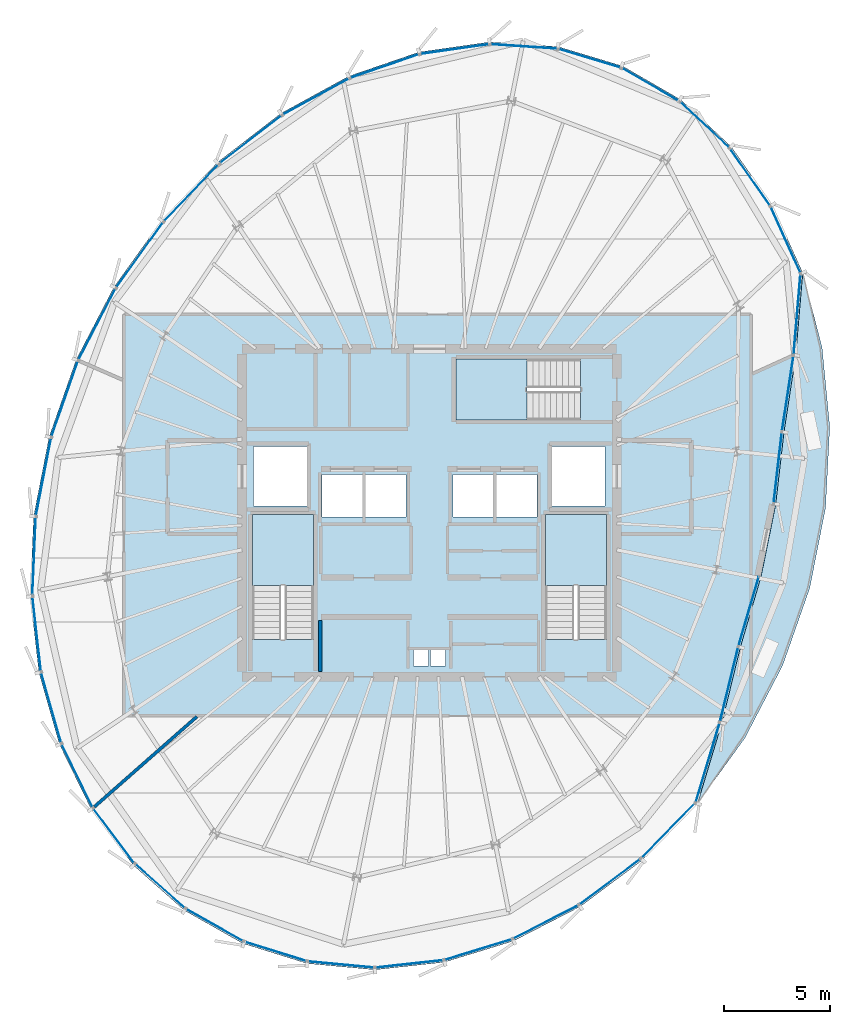
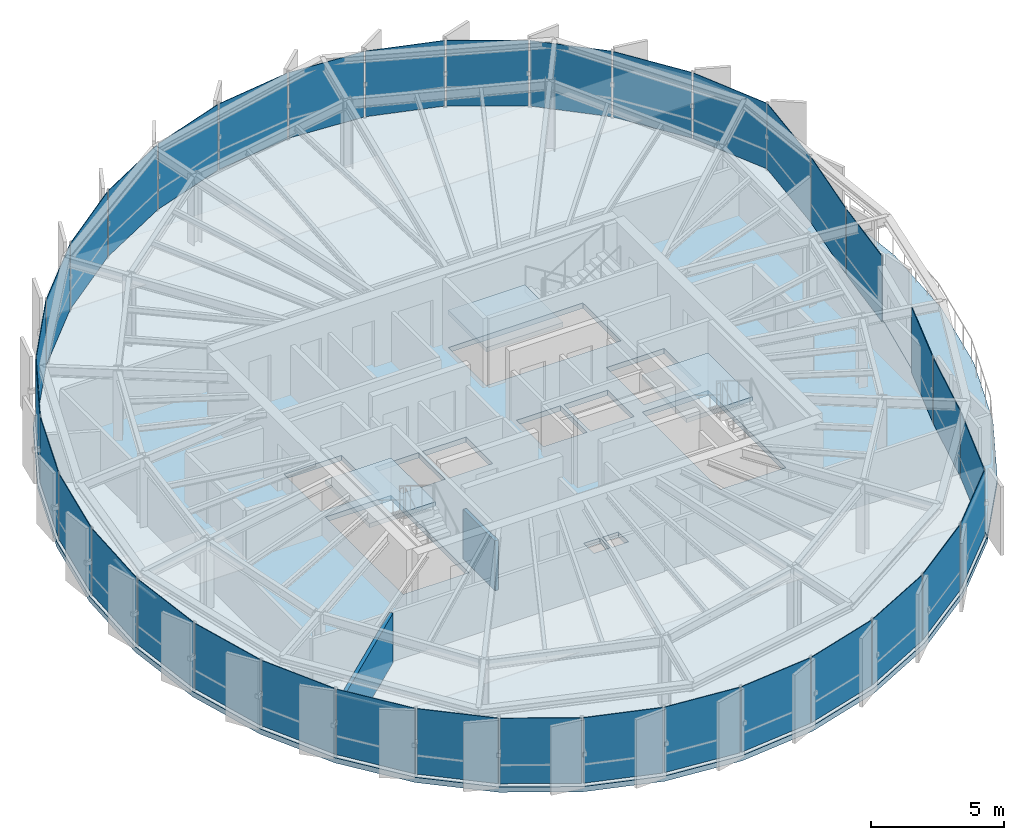
# One storey, part 24 of 31: 35 plates, 5 slabs, 2 walls, 10 elements without a shape of their own.
"""IFC4 building model written with IfcOpenShell, lengths in metres."""

from ifc_helpers import new_model, si_unit, direction, frame, frame_2d, origin, origin_2d, place, context, subcontext, project, spatial, polyline, rectangle, outline, extrude, source, transform, mapped, material, layer, layer_set, type_object, element, aggregate, save


model = new_model("IFC4")

# Units and contexts
model_context = context("Model", 3, precision=1e-05, world=origin(), true_north=direction((0.0, 1.0)))
body_context = subcontext(model_context, "Body", "Model", "MODEL_VIEW")
ifc_project = project(units=[si_unit("LENGTHUNIT", "METRE"), si_unit("AREAUNIT", "SQUARE_METRE"), si_unit("VOLUMEUNIT", "CUBIC_METRE"), si_unit("PLANEANGLEUNIT", "RADIAN"), si_unit("MASSUNIT", "GRAM", prefix="KILO"), si_unit("THERMODYNAMICTEMPERATUREUNIT", "KELVIN")], contexts=[model_context])

# Site, building, storey
site_placement = place(None, origin())
site = spatial("IfcSite", under=ifc_project, at=site_placement, CompositionType="ELEMENT")
building_placement = place(site_placement, origin())
building = spatial("IfcBuilding", under=site, at=building_placement, Name="Kethvar Cultural Tower", CompositionType="ELEMENT")
storey_placement = place(building_placement, frame((0.0, 0.0, 300.85009765625)))
storey = spatial("IfcBuildingStorey", under=building, at=storey_placement, Name="L80", CompositionType="ELEMENT", Elevation=300.85009765625)

# Stair, slab
ifc_material_1 = material(Name="Concrete C40/50", Category="concrete")
stair_type = type_object("IfcStairType", Name="ST-DOGLEG-135", PredefinedType="HALF_TURN_STAIR", material=ifc_material_1)
stair_1_placement = place(storey_placement, origin())
stair_1 = element("IfcStair", 1, at=stair_1_placement, inside=storey, type_object=stair_type, Name="L80 Core Exit Stair 1", PredefinedType="HALF_TURN_STAIR")
ifc_layer_1 = layer(ifc_material_1, 0.199951171875, Name="Concrete C40/50", Category="concrete")
ifc_layer_set_1 = layer_set([ifc_layer_1], Name="Concrete C40/50 (200 mm)")
slab_type_1 = type_object("IfcSlabType", Name="SL-STAIR-LANDING-200", PredefinedType="LANDING", material=ifc_layer_set_1)
slab_1_placement = place(storey_placement, frame((0.0, 0.0, 1.52490234375)))
slab_1 = element("IfcSlab", 2, at=slab_1_placement, type_object=slab_type_1, Name="ST-01 landing 1", PredefinedType="LANDING", context=body_context, shape_type="SweptSolid", body=[
    extrude(outline(polyline([(41.35009765625, 24.3701171875), (41.35009765625, 27.699951171875), (38.489990234375, 27.699951171875), (38.489990234375, 24.3701171875), (41.35009765625, 24.3701171875)])), origin(), (0.0, 0.0, 1.0), 0.199951171875),
])
aggregate(stair_1, [slab_1])

stair_2_placement = place(storey_placement, origin())
stair_2 = element("IfcStair", 3, at=stair_2_placement, inside=storey, type_object=stair_type, Name="L80 Core Exit Stair 2", PredefinedType="HALF_TURN_STAIR")
slab_2_placement = place(storey_placement, frame((0.0, 0.0, 1.52490234375)))
slab_2 = element("IfcSlab", 4, at=slab_2_placement, type_object=slab_type_1, Name="ST-02 landing 1", PredefinedType="LANDING", context=body_context, shape_type="SweptSolid", body=[
    extrude(outline(polyline([(55.110107421875, 24.3701171875), (55.110107421875, 27.699951171875), (52.25, 27.699951171875), (52.25, 24.3701171875), (55.110107421875, 24.3701171875)])), origin(), (0.0, 0.0, 1.0), 0.199951171875),
])
aggregate(stair_2, [slab_2])

stair_3_placement = place(storey_placement, origin())
stair_3 = element("IfcStair", 5, at=stair_3_placement, inside=storey, type_object=stair_type, Name="L80 Core Exit Stair 3", PredefinedType="HALF_TURN_STAIR")
slab_3_placement = place(storey_placement, frame((0.0, 0.0, 1.52490234375)))
slab_3 = element("IfcSlab", 6, at=slab_3_placement, type_object=slab_type_1, Name="ST-03 landing 1", PredefinedType="LANDING", context=body_context, shape_type="SweptSolid", body=[
    extrude(outline(polyline([(51.3798828125, 35.010009765625), (48.050048828125, 35.010009765625), (48.050048828125, 32.14990234375), (51.3798828125, 32.14990234375), (51.3798828125, 35.010009765625)])), origin(), (0.0, 0.0, 1.0), 0.199951171875),
])
aggregate(stair_3, [slab_3])

# Slabs
ifc_layer_2 = layer(ifc_material_1, 0.215087890625, Name="Concrete C40/50", Category="concrete")
ifc_layer_set_2 = layer_set([ifc_layer_2], Name="Concrete C40/50 (215 mm)")
slab_type_2 = type_object("IfcSlabType", Name="SL-TER-EXT", PredefinedType="FLOOR", material=ifc_layer_set_2)
slab_4_placement = place(storey_placement, frame((0.0, 0.0, -0.215087890625)))
element("IfcSlab", 7, at=slab_4_placement, inside=storey, type_object=slab_type_2, Name="L80 Spiralling Sky Terrace Deck", PredefinedType="FLOOR", context=body_context, shape_type="SweptSolid", body=[
    extrude(outline(polyline([(59.395263671875, 14.13134765625), (61.618408203125, 17.215087890625), (63.39111328125, 20.620361328125), (64.663818359375, 24.253173828125), (65.40771484375, 28.025634765625), (65.603515625, 31.831298828125), (65.244384765625, 35.552490234375), (64.3369140625, 39.06591796875), (64.005859375, 35.18310546875), (63.455810546875, 31.5830078125), (63.06201171875, 28.1650390625), (62.3779296875, 24.797607421875), (61.406982421875, 21.47900390625), (60.539306640625, 17.926513671875), (59.395263671875, 14.13134765625)])), origin(), (0.0, 0.0, 1.0), 0.215087890625),
])
ifc_layer_3 = layer(ifc_material_1, 0.239990234375, Name="Concrete C40/50", Category="concrete")
ifc_layer_set_3 = layer_set([ifc_layer_3], Name="Concrete C40/50 (240 mm)")
slab_type_3 = type_object("IfcSlabType", Name="SL-TOW-240", PredefinedType="FLOOR", material=ifc_layer_set_3)
slab_5_placement = place(storey_placement, frame((0.0, 0.0, -0.239990234375)))
element("IfcSlab", 8, at=slab_5_placement, inside=storey, type_object=slab_type_3, Name="L80 Structural Floor Slab", PredefinedType="FLOOR", context=body_context, shape_type="SweptSolid", body=[
    extrude(outline(polyline([(55.875732421875, 48.77294921875), (52.849853515625, 49.6845703125), (49.627197265625, 49.902099609375), (46.310791015625, 49.429443359375), (43.0078125, 48.2958984375), (39.8251953125, 46.55224609375), (36.86669921875, 44.266845703125), (34.2265625, 41.518798828125), (31.985595703125, 38.394287109375), (30.208740234375, 34.9794921875), (28.940185546875, 31.356201171875), (28.214111328125, 27.62451171875), (28.052490234375, 23.8984375), (28.4609375, 20.290771484375), (29.42626953125, 16.9111328125), (30.919677734375, 13.862548828125), (32.8955078125, 11.2373046875), (35.2939453125, 9.115478515625), (38.0419921875, 7.561279296875), (41.055908203125, 6.6220703125), (44.24462890625, 6.326416015625), (47.510986328125, 6.68310546875), (50.755615234375, 7.681396484375), (53.8798828125, 9.291015625), (56.789306640625, 11.462890625), (59.395263671875, 14.13134765625), (60.539306640625, 17.926513671875), (61.406982421875, 21.47900390625), (62.3779296875, 24.797607421875), (63.06201171875, 28.1650390625), (63.455810546875, 31.5830078125), (64.005859375, 35.18310546875), (64.3369140625, 39.06591796875), (62.902099609375, 42.249755859375), (60.976318359375, 44.990966796875), (58.61181640625, 47.191162109375), (55.875732421875, 48.77294921875)]), holes=[polyline([(38.489990234375, 21.85009765625), (38.489990234375, 27.699951171875), (41.35009765625, 27.699951171875), (41.35009765625, 21.85009765625), (38.489990234375, 21.85009765625)]), polyline([(52.25, 21.85009765625), (52.25, 27.699951171875), (55.110107421875, 27.699951171875), (55.110107421875, 21.85009765625), (52.25, 21.85009765625)]), polyline([(53.89990234375, 32.14990234375), (48.050048828125, 32.14990234375), (48.050048828125, 35.010009765625), (53.89990234375, 35.010009765625), (53.89990234375, 32.14990234375)]), polyline([(41.75, 29.60009765625), (43.64990234375, 29.60009765625), (43.64990234375, 27.60009765625), (41.75, 27.60009765625), (41.75, 29.60009765625)]), polyline([(43.800048828125, 29.60009765625), (45.699951171875, 29.60009765625), (45.699951171875, 27.60009765625), (43.800048828125, 27.60009765625), (43.800048828125, 29.60009765625)]), polyline([(47.89990234375, 29.60009765625), (49.800048828125, 29.60009765625), (49.800048828125, 27.60009765625), (47.89990234375, 27.60009765625), (47.89990234375, 29.60009765625)]), polyline([(49.949951171875, 29.60009765625), (51.85009765625, 29.60009765625), (51.85009765625, 27.60009765625), (49.949951171875, 27.60009765625), (49.949951171875, 29.60009765625)]), polyline([(38.550048828125, 30.89990234375), (41.050048828125, 30.89990234375), (41.050048828125, 28.10009765625), (38.550048828125, 28.10009765625), (38.550048828125, 30.89990234375)]), polyline([(52.550048828125, 30.89990234375), (55.050048828125, 30.89990234375), (55.050048828125, 28.10009765625), (52.550048828125, 28.10009765625), (52.550048828125, 30.89990234375)]), polyline([(46.050048828125, 21.35009765625), (46.75, 21.35009765625), (46.75, 20.60009765625), (46.050048828125, 20.60009765625), (46.050048828125, 21.35009765625)]), polyline([(46.85009765625, 21.35009765625), (47.550048828125, 21.35009765625), (47.550048828125, 20.60009765625), (46.85009765625, 20.60009765625), (46.85009765625, 21.35009765625)])]), origin(), (0.0, 0.0, 1.0), 0.239990234375),
])

# Curtain wall, plates
ifc_material_2 = material(Name="Aluminium 6063-T6", Category="aluminium")
ifc_layer_4 = layer(ifc_material_2, 0.179931640625, Name="Aluminium 6063-T6", Category="aluminium")
ifc_layer_set_4 = layer_set([ifc_layer_4], Name="Aluminium 6063-T6 (180 mm)")
curtain_wall_type = type_object("IfcCurtainWallType", Name="CW-SYS-05-Z56", PredefinedType="NOTDEFINED", material=ifc_layer_set_4)
curtain_wall_1_placement = place(storey_placement, origin())
curtain_wall_1 = element("IfcCurtainWall", 9, at=curtain_wall_1_placement, inside=storey, type_object=curtain_wall_type, Name="L80 Curtain Wall Run 01", PredefinedType="NOTDEFINED")
ifc_material_3 = material(Name="Insulated Low-E Solar Glass", Category="glass")
ifc_layer_5 = layer(ifc_material_3, 0.028076171875, Name="Insulated Low-E Solar Glass", Category="glass")
ifc_layer_set_5 = layer_set([ifc_layer_5], Name="Insulated Low-E Solar Glass (28 mm)")
plate_type = type_object("IfcPlateType", Name="CW-SYS-05-Z56-PNL", PredefinedType="CURTAIN_PANEL", material=ifc_layer_set_5)
shared_shape_1 = source(origin(), body_context, "Body", "SweptSolid", [
    extrude(rectangle(XDim=3.0810546875, YDim=0.028076171875, at=origin_2d()), origin(), (0.0, 0.0, 1.0), 3.0048828125),
])
plate_1_placement = place(storey_placement, frame((54.333984375, 49.133056640625, 0.08984375), z_axis=(0.0, 0.0, 1.0), x_axis=(-0.957485809102, 0.288480372586, 0.0)))
plate_1 = element("IfcPlate", 10, at=plate_1_placement, type_object=plate_type, Name="CW-L80-R01 Vision Glazing Panel 1", PredefinedType="CURTAIN_PANEL", context=body_context, shape_type="MappedRepresentation", body=[
    mapped(shared_shape_1, transform((0.0, 0.0, 0.0), scale=1.0)),
])
shared_shape_2 = source(origin(), body_context, "Body", "SweptSolid", [
    extrude(rectangle(XDim=3.150634765625, YDim=0.028076171875, at=origin_2d()), origin(), (0.0, 0.0, 1.0), 3.0048828125),
])
plate_2_placement = place(storey_placement, frame((51.23193359375, 49.693603515625, 0.08984375), z_axis=(0.0, 0.0, 1.0), x_axis=(-0.997727993163, 0.067371000132, 0.0)))
plate_2 = element("IfcPlate", 11, at=plate_2_placement, type_object=plate_type, Name="CW-L80-R01 Vision Glazing Panel 2", PredefinedType="CURTAIN_PANEL", context=body_context, shape_type="MappedRepresentation", body=[
    mapped(shared_shape_2, transform((0.0, 0.0, 0.0), scale=1.0)),
])

# Curtain wall, plate
curtain_wall_2_placement = place(storey_placement, origin())
curtain_wall_2 = element("IfcCurtainWall", 12, at=curtain_wall_2_placement, inside=storey, type_object=curtain_wall_type, Name="L80 Curtain Wall Run 06", PredefinedType="NOTDEFINED")
plate_3_placement = place(storey_placement, frame((59.72607421875, 46.017822265625, 0.08984375), z_axis=(0.0, 0.0, 1.0), x_axis=(-0.732115044681, 0.681181004838, 0.0)))
plate_3 = element("IfcPlate", 13, at=plate_3_placement, type_object=plate_type, Name="CW-L80-R06 Vision Glazing Panel 6", PredefinedType="CURTAIN_PANEL", context=body_context, shape_type="MappedRepresentation", body=[
    mapped(shared_shape_2, transform((0.0, 0.0, 0.0), scale=1.0)),
])

# Plate
shared_shape_3 = source(origin(), body_context, "Body", "SweptSolid", [
    extrude(rectangle(XDim=3.270751953125, YDim=0.028076171875, at=origin_2d()), origin(), (0.0, 0.0, 1.0), 3.0048828125),
])
plate_4_placement = place(storey_placement, frame((47.983154296875, 49.56689453125, 0.08984375), z_axis=(0.0, 0.0, 1.0), x_axis=(-0.989994125718, -0.141108578916, 0.0)))
plate_4 = element("IfcPlate", 14, at=plate_4_placement, type_object=plate_type, Name="CW-L80-R01 Vision Glazing Panel 3", PredefinedType="CURTAIN_PANEL", context=body_context, shape_type="MappedRepresentation", body=[
    mapped(shared_shape_3, transform((0.0, 0.0, 0.0), scale=1.0)),
])

plate_5_placement = place(storey_placement, frame((61.857421875, 43.56298828125, 0.08984375), z_axis=(0.0, 0.0, 1.0), x_axis=(-0.574819604962, 0.818280160918, 0.0)))
plate_5 = element("IfcPlate", 15, at=plate_5_placement, type_object=plate_type, Name="CW-L80-R06 Vision Glazing Panel 5", PredefinedType="CURTAIN_PANEL", context=body_context, shape_type="MappedRepresentation", body=[
    mapped(shared_shape_3, transform((0.0, 0.0, 0.0), scale=1.0)),
])

shared_shape_4 = source(origin(), body_context, "Body", "SweptSolid", [
    extrude(rectangle(XDim=3.4130859375, YDim=0.028076171875, at=origin_2d()), origin(), (0.0, 0.0, 1.0), 3.0048828125),
])
plate_6_placement = place(storey_placement, frame((44.691650390625, 48.76806640625, 0.08984375), z_axis=(0.0, 0.0, 1.0), x_axis=(-0.945841995121, -0.324627356004, 0.0)))
plate_6 = element("IfcPlate", 16, at=plate_6_placement, type_object=plate_type, Name="CW-L80-R01 Vision Glazing Panel 4", PredefinedType="CURTAIN_PANEL", context=body_context, shape_type="MappedRepresentation", body=[
    mapped(shared_shape_4, transform((0.0, 0.0, 0.0), scale=1.0)),
])

plate_7_placement = place(storey_placement, frame((63.5283203125, 40.61669921875, 0.08984375), z_axis=(0.0, 0.0, 1.0), x_axis=(-0.410846154607, 0.911704687519, 0.0)))
plate_7 = element("IfcPlate", 17, at=plate_7_placement, type_object=plate_type, Name="CW-L80-R06 Vision Glazing Panel 4", PredefinedType="CURTAIN_PANEL", context=body_context, shape_type="MappedRepresentation", body=[
    mapped(shared_shape_4, transform((0.0, 0.0, 0.0), scale=1.0)),
])

shared_shape_5 = source(origin(), body_context, "Body", "SweptSolid", [
    extrude(rectangle(XDim=3.549560546875, YDim=0.028076171875, at=origin_2d()), origin(), (0.0, 0.0, 1.0), 3.0048828125),
])
plate_8_placement = place(storey_placement, frame((41.464599609375, 47.33642578125, 0.08984375), z_axis=(0.0, 0.0, 1.0), x_axis=(-0.877012025808, -0.480468424133, 0.0)))
plate_8 = element("IfcPlate", 18, at=plate_8_placement, type_object=plate_type, Name="CW-L80-R01 Vision Glazing Panel 5", PredefinedType="CURTAIN_PANEL", context=body_context, shape_type="MappedRepresentation", body=[
    mapped(shared_shape_5, transform((0.0, 0.0, 0.0), scale=1.0)),
])

shared_shape_6 = source(origin(), body_context, "Body", "SweptSolid", [
    extrude(rectangle(XDim=3.6591796875, YDim=0.028076171875, at=origin_2d()), origin(), (0.0, 0.0, 1.0), 3.0048828125),
])
plate_9_placement = place(storey_placement, frame((38.4072265625, 45.33056640625, 0.08984375), z_axis=(0.0, 0.0, 1.0), x_axis=(-0.79137293359, -0.611333689551, 0.0)))
plate_9 = element("IfcPlate", 19, at=plate_9_placement, type_object=plate_type, Name="CW-L80-R01 Vision Glazing Panel 6", PredefinedType="CURTAIN_PANEL", context=body_context, shape_type="MappedRepresentation", body=[
    mapped(shared_shape_6, transform((0.0, 0.0, 0.0), scale=1.0)),
])

aggregate(curtain_wall_1, [plate_1, plate_2, plate_4, plate_6, plate_8, plate_9])

# Curtain wall, plates
curtain_wall_3_placement = place(storey_placement, origin())
curtain_wall_3 = element("IfcCurtainWall", 20, at=curtain_wall_3_placement, inside=storey, type_object=curtain_wall_type, Name="L80 Curtain Wall Run 02", PredefinedType="NOTDEFINED")
shared_shape_7 = source(origin(), body_context, "Body", "SweptSolid", [
    extrude(rectangle(XDim=3.731689453125, YDim=0.028076171875, at=origin_2d()), origin(), (0.0, 0.0, 1.0), 3.0048828125),
])
plate_10_placement = place(storey_placement, frame((35.618896484375, 42.82373046875, 0.08984375), z_axis=(0.0, 0.0, 1.0), x_axis=(-0.692823109356, -0.721107578065, 0.0)))
plate_10 = element("IfcPlate", 21, at=plate_10_placement, type_object=plate_type, Name="CW-L80-R02 Vision Glazing Panel 1", PredefinedType="CURTAIN_PANEL", context=body_context, shape_type="MappedRepresentation", body=[
    mapped(shared_shape_7, transform((0.0, 0.0, 0.0), scale=1.0)),
])
shared_shape_8 = source(origin(), body_context, "Body", "SweptSolid", [
    extrude(rectangle(XDim=3.76611328125, YDim=0.028076171875, at=origin_2d()), origin(), (0.0, 0.0, 1.0), 3.0048828125),
])
plate_11_placement = place(storey_placement, frame((33.1875, 39.898193359375, 0.08984375), z_axis=(0.0, 0.0, 1.0), x_axis=(-0.582775581607, -0.812633140773, 0.0)))
plate_11 = element("IfcPlate", 22, at=plate_11_placement, type_object=plate_type, Name="CW-L80-R02 Vision Glazing Panel 2", PredefinedType="CURTAIN_PANEL", context=body_context, shape_type="MappedRepresentation", body=[
    mapped(shared_shape_8, transform((0.0, 0.0, 0.0), scale=1.0)),
])
shared_shape_9 = source(origin(), body_context, "Body", "SweptSolid", [
    extrude(rectangle(XDim=3.77001953125, YDim=0.028076171875, at=origin_2d()), origin(), (0.0, 0.0, 1.0), 3.0048828125),
])
plate_12_placement = place(storey_placement, frame((31.185791015625, 36.640625, 0.08984375), z_axis=(0.0, 0.0, 1.0), x_axis=(-0.461624758658, -0.887075296801, 0.0)))
plate_12 = element("IfcPlate", 23, at=plate_12_placement, type_object=plate_type, Name="CW-L80-R02 Vision Glazing Panel 3", PredefinedType="CURTAIN_PANEL", context=body_context, shape_type="MappedRepresentation", body=[
    mapped(shared_shape_9, transform((0.0, 0.0, 0.0), scale=1.0)),
])
shared_shape_10 = source(origin(), body_context, "Body", "SweptSolid", [
    extrude(rectangle(XDim=3.760009765625, YDim=0.028076171875, at=origin_2d()), origin(), (0.0, 0.0, 1.0), 3.0048828125),
])
plate_13_placement = place(storey_placement, frame((29.668701171875, 33.135009765625, 0.08984375), z_axis=(0.0, 0.0, 1.0), x_axis=(-0.330464974958, -0.943818255983, 0.0)))
plate_13 = element("IfcPlate", 24, at=plate_13_placement, type_object=plate_type, Name="CW-L80-R02 Vision Glazing Panel 4", PredefinedType="CURTAIN_PANEL", context=body_context, shape_type="MappedRepresentation", body=[
    mapped(shared_shape_10, transform((0.0, 0.0, 0.0), scale=1.0)),
])
shared_shape_11 = source(origin(), body_context, "Body", "SweptSolid", [
    extrude(rectangle(XDim=3.722412109375, YDim=0.028076171875, at=origin_2d()), origin(), (0.0, 0.0, 1.0), 3.0048828125),
])
plate_14_placement = place(storey_placement, frame((28.67529296875, 29.47119140625, 0.08984375), z_axis=(0.0, 0.0, 1.0), x_axis=(-0.190997450749, -0.98159053266, 0.0)))
plate_14 = element("IfcPlate", 25, at=plate_14_placement, type_object=plate_type, Name="CW-L80-R02 Vision Glazing Panel 5", PredefinedType="CURTAIN_PANEL", context=body_context, shape_type="MappedRepresentation", body=[
    mapped(shared_shape_11, transform((0.0, 0.0, 0.0), scale=1.0)),
])
shared_shape_12 = source(origin(), body_context, "Body", "SweptSolid", [
    extrude(rectangle(XDim=3.650390625, YDim=0.028076171875, at=origin_2d()), origin(), (0.0, 0.0, 1.0), 3.0048828125),
])
plate_15_placement = place(storey_placement, frame((28.233154296875, 25.757080078125, 0.08984375), z_axis=(0.0, 0.0, 1.0), x_axis=(-0.043270651098, -0.999063386755, 0.0)))
plate_15 = element("IfcPlate", 26, at=plate_15_placement, type_object=plate_type, Name="CW-L80-R02 Vision Glazing Panel 6", PredefinedType="CURTAIN_PANEL", context=body_context, shape_type="MappedRepresentation", body=[
    mapped(shared_shape_12, transform((0.0, 0.0, 0.0), scale=1.0)),
])
aggregate(curtain_wall_3, [plate_10, plate_11, plate_12, plate_13, plate_14, plate_15])

# Curtain wall, plate
curtain_wall_4_placement = place(storey_placement, origin())
curtain_wall_4 = element("IfcCurtainWall", 27, at=curtain_wall_4_placement, inside=storey, type_object=curtain_wall_type, Name="L80 Curtain Wall Run 03", PredefinedType="NOTDEFINED")
shared_shape_13 = source(origin(), body_context, "Body", "SweptSolid", [
    extrude(rectangle(XDim=3.551513671875, YDim=0.028076171875, at=origin_2d()), origin(), (0.0, 0.0, 1.0), 3.0048828125),
])
plate_16_placement = place(storey_placement, frame((28.356201171875, 22.105712890625, 0.08984375), z_axis=(0.0, 0.0, 1.0), x_axis=(0.112457514648, -0.993656533919, 0.0)))
plate_16 = element("IfcPlate", 28, at=plate_16_placement, type_object=plate_type, Name="CW-L80-R03 Vision Glazing Panel 1", PredefinedType="CURTAIN_PANEL", context=body_context, shape_type="MappedRepresentation", body=[
    mapped(shared_shape_13, transform((0.0, 0.0, 0.0), scale=1.0)),
])

curtain_wall_5_placement = place(storey_placement, origin())
curtain_wall_5 = element("IfcCurtainWall", 29, at=curtain_wall_5_placement, inside=storey, type_object=curtain_wall_type, Name="L80 Curtain Wall Run 04", PredefinedType="NOTDEFINED")
plate_17_placement = place(storey_placement, frame((55.27490234375, 10.45703125, 0.08984375), z_axis=(0.0, 0.0, 1.0), x_axis=(0.801316464703, 0.598240690187, 0.0)))
plate_17 = element("IfcPlate", 30, at=plate_17_placement, type_object=plate_type, Name="CW-L80-R04 Vision Glazing Panel 6", PredefinedType="CURTAIN_PANEL", context=body_context, shape_type="MappedRepresentation", body=[
    mapped(shared_shape_13, transform((0.0, 0.0, 0.0), scale=1.0)),
])

# Plate
shared_shape_14 = source(origin(), body_context, "Body", "SweptSolid", [
    extrude(rectangle(XDim=3.435546875, YDim=0.028076171875, at=origin_2d()), origin(), (0.0, 0.0, 1.0), 3.0048828125),
])
plate_18_placement = place(storey_placement, frame((29.039794921875, 18.62841796875, 0.08984375), z_axis=(0.0, 0.0, 1.0), x_axis=(0.274680920226, -0.961535434638, 0.0)))
plate_18 = element("IfcPlate", 31, at=plate_18_placement, type_object=plate_type, Name="CW-L80-R03 Vision Glazing Panel 2", PredefinedType="CURTAIN_PANEL", context=body_context, shape_type="MappedRepresentation", body=[
    mapped(shared_shape_14, transform((0.0, 0.0, 0.0), scale=1.0)),
])

plate_19_placement = place(storey_placement, frame((52.27197265625, 8.574951171875, 0.08984375), z_axis=(0.0, 0.0, 1.0), x_axis=(0.888977181064, 0.457951494755, 0.0)))
plate_19 = element("IfcPlate", 32, at=plate_19_placement, type_object=plate_type, Name="CW-L80-R04 Vision Glazing Panel 5", PredefinedType="CURTAIN_PANEL", context=body_context, shape_type="MappedRepresentation", body=[
    mapped(shared_shape_14, transform((0.0, 0.0, 0.0), scale=1.0)),
])

shared_shape_15 = source(origin(), body_context, "Body", "SweptSolid", [
    extrude(rectangle(XDim=3.3154296875, YDim=0.028076171875, at=origin_2d()), origin(), (0.0, 0.0, 1.0), 3.0048828125),
])
plate_20_placement = place(storey_placement, frame((30.2626953125, 15.430908203125, 0.08984375), z_axis=(0.0, 0.0, 1.0), x_axis=(0.439923496251, -0.898035254011, 0.0)))
plate_20 = element("IfcPlate", 33, at=plate_20_placement, type_object=plate_type, Name="CW-L80-R03 Vision Glazing Panel 3", PredefinedType="CURTAIN_PANEL", context=body_context, shape_type="MappedRepresentation", body=[
    mapped(shared_shape_15, transform((0.0, 0.0, 0.0), scale=1.0)),
])

plate_21_placement = place(storey_placement, frame((49.103759765625, 7.277587890625, 0.08984375), z_axis=(0.0, 0.0, 1.0), x_axis=(0.955782750272, 0.294073688523, 0.0)))
plate_21 = element("IfcPlate", 34, at=plate_21_placement, type_object=plate_type, Name="CW-L80-R04 Vision Glazing Panel 4", PredefinedType="CURTAIN_PANEL", context=body_context, shape_type="MappedRepresentation", body=[
    mapped(shared_shape_15, transform((0.0, 0.0, 0.0), scale=1.0)),
])

shared_shape_16 = source(origin(), body_context, "Body", "SweptSolid", [
    extrude(rectangle(XDim=3.20654296875, YDim=0.028076171875, at=origin_2d()), origin(), (0.0, 0.0, 1.0), 3.0048828125),
])
plate_22_placement = place(storey_placement, frame((31.987548828125, 12.610107421875, 0.08984375), z_axis=(0.0, 0.0, 1.0), x_axis=(0.6013688871, -0.798971502388, 0.0)))
plate_22 = element("IfcPlate", 35, at=plate_22_placement, type_object=plate_type, Name="CW-L80-R03 Vision Glazing Panel 4", PredefinedType="CURTAIN_PANEL", context=body_context, shape_type="MappedRepresentation", body=[
    mapped(shared_shape_16, transform((0.0, 0.0, 0.0), scale=1.0)),
])

plate_23_placement = place(storey_placement, frame((45.866943359375, 6.60400390625, 0.08984375), z_axis=(0.0, 0.0, 1.0), x_axis=(0.994090490704, 0.108554577476, 0.0)))
plate_23 = element("IfcPlate", 36, at=plate_23_placement, type_object=plate_type, Name="CW-L80-R04 Vision Glazing Panel 3", PredefinedType="CURTAIN_PANEL", context=body_context, shape_type="MappedRepresentation", body=[
    mapped(shared_shape_16, transform((0.0, 0.0, 0.0), scale=1.0)),
])

shared_shape_17 = source(origin(), body_context, "Body", "SweptSolid", [
    extrude(rectangle(XDim=3.123291015625, YDim=0.028076171875, at=origin_2d()), origin(), (0.0, 0.0, 1.0), 3.0048828125),
])
plate_24_placement = place(storey_placement, frame((34.1611328125, 10.251220703125, 0.08984375), z_axis=(0.0, 0.0, 1.0), x_axis=(0.748955720789, -0.662620048216, 0.0)))
plate_24 = element("IfcPlate", 37, at=plate_24_placement, type_object=plate_type, Name="CW-L80-R03 Vision Glazing Panel 5", PredefinedType="CURTAIN_PANEL", context=body_context, shape_type="MappedRepresentation", body=[
    mapped(shared_shape_17, transform((0.0, 0.0, 0.0), scale=1.0)),
])

shared_shape_18 = source(origin(), body_context, "Body", "SweptSolid", [
    extrude(rectangle(XDim=3.077880859375, YDim=0.028076171875, at=origin_2d()), origin(), (0.0, 0.0, 1.0), 3.0048828125),
])
plate_25_placement = place(storey_placement, frame((36.71728515625, 8.42529296875, 0.08984375), z_axis=(0.0, 0.0, 1.0), x_axis=(0.870424442755, -0.492302030723, 0.0)))
plate_25 = element("IfcPlate", 38, at=plate_25_placement, type_object=plate_type, Name="CW-L80-R03 Vision Glazing Panel 6", PredefinedType="CURTAIN_PANEL", context=body_context, shape_type="MappedRepresentation", body=[
    mapped(shared_shape_18, transform((0.0, 0.0, 0.0), scale=1.0)),
])

aggregate(curtain_wall_4, [plate_16, plate_18, plate_20, plate_22, plate_24, plate_25])

plate_26_placement = place(storey_placement, frame((39.57861328125, 7.18701171875, 0.08984375), z_axis=(0.0, 0.0, 1.0), x_axis=(0.954714076188, -0.297524843884, 0.0)))
plate_26 = element("IfcPlate", 39, at=plate_26_placement, type_object=plate_type, Name="CW-L80-R04 Vision Glazing Panel 1", PredefinedType="CURTAIN_PANEL", context=body_context, shape_type="MappedRepresentation", body=[
    mapped(shared_shape_18, transform((0.0, 0.0, 0.0), scale=1.0)),
])

shared_shape_19 = source(origin(), body_context, "Body", "SweptSolid", [
    extrude(rectangle(XDim=3.123046875, YDim=0.028076171875, at=origin_2d()), origin(), (0.0, 0.0, 1.0), 3.0048828125),
])
plate_27_placement = place(storey_placement, frame((42.659423828125, 6.57373046875, 0.08984375), z_axis=(0.0, 0.0, 1.0), x_axis=(0.99572792192, -0.092335830041, 0.0)))
plate_27 = element("IfcPlate", 40, at=plate_27_placement, type_object=plate_type, Name="CW-L80-R04 Vision Glazing Panel 2", PredefinedType="CURTAIN_PANEL", context=body_context, shape_type="MappedRepresentation", body=[
    mapped(shared_shape_19, transform((0.0, 0.0, 0.0), scale=1.0)),
])

aggregate(curtain_wall_5, [plate_26, plate_27, plate_23, plate_21, plate_19, plate_17])

# Curtain wall, plates
curtain_wall_6_placement = place(storey_placement, origin())
curtain_wall_6 = element("IfcCurtainWall", 41, at=curtain_wall_6_placement, inside=storey, type_object=curtain_wall_type, Name="L80 Curtain Wall Run 05", PredefinedType="NOTDEFINED")
shared_shape_20 = source(origin(), body_context, "Body", "SweptSolid", [
    extrude(rectangle(XDim=3.650634765625, YDim=0.028076171875, at=origin_2d()), origin(), (0.0, 0.0, 1.0), 3.0048828125),
])
plate_28_placement = place(storey_placement, frame((58.020751953125, 12.866943359375, 0.08984375), z_axis=(0.0, 0.0, 1.0), x_axis=(0.698677553601, 0.715436703066, 0.0)))
plate_28 = element("IfcPlate", 42, at=plate_28_placement, type_object=plate_type, Name="CW-L80-R05 Vision Glazing Panel 1", PredefinedType="CURTAIN_PANEL", context=body_context, shape_type="MappedRepresentation", body=[
    mapped(shared_shape_20, transform((0.0, 0.0, 0.0), scale=1.0)),
])
shared_shape_21 = source(origin(), body_context, "Body", "SweptSolid", [
    extrude(rectangle(XDim=3.884521484375, YDim=0.028076171875, at=origin_2d()), origin(), (0.0, 0.0, 1.0), 3.0048828125),
])
plate_29_placement = place(storey_placement, frame((59.871337890625, 16.0576171875, 0.08984375), z_axis=(0.0, 0.0, 1.0), x_axis=(0.288614060013, 0.95744552031, 0.0)))
plate_29 = element("IfcPlate", 43, at=plate_29_placement, type_object=plate_type, Name="CW-L80-R05 Vision Glazing Panel 2", PredefinedType="CURTAIN_PANEL", context=body_context, shape_type="MappedRepresentation", body=[
    mapped(shared_shape_21, transform((0.0, 0.0, 0.0), scale=1.0)),
])
shared_shape_22 = source(origin(), body_context, "Body", "SweptSolid", [
    extrude(rectangle(XDim=3.577880859375, YDim=0.028076171875, at=origin_2d()), origin(), (0.0, 0.0, 1.0), 3.0048828125),
])
plate_30_placement = place(storey_placement, frame((60.8759765625, 19.7265625, 0.08984375), z_axis=(0.0, 0.0, 1.0), x_axis=(0.237295951489, 0.971437404781, 0.0)))
plate_30 = element("IfcPlate", 44, at=plate_30_placement, type_object=plate_type, Name="CW-L80-R05 Vision Glazing Panel 3", PredefinedType="CURTAIN_PANEL", context=body_context, shape_type="MappedRepresentation", body=[
    mapped(shared_shape_22, transform((0.0, 0.0, 0.0), scale=1.0)),
])
shared_shape_23 = source(origin(), body_context, "Body", "SweptSolid", [
    extrude(rectangle(XDim=3.378662109375, YDim=0.028076171875, at=origin_2d()), origin(), (0.0, 0.0, 1.0), 3.0048828125),
])
plate_31_placement = place(storey_placement, frame((61.79638671875, 23.16650390625, 0.08984375), z_axis=(0.0, 0.0, 1.0), x_axis=(0.280783969164, 0.959770994905, 0.0)))
plate_31 = element("IfcPlate", 45, at=plate_31_placement, type_object=plate_type, Name="CW-L80-R05 Vision Glazing Panel 4", PredefinedType="CURTAIN_PANEL", context=body_context, shape_type="MappedRepresentation", body=[
    mapped(shared_shape_23, transform((0.0, 0.0, 0.0), scale=1.0)),
])
aggregate(curtain_wall_6, [plate_28, plate_29, plate_30, plate_31])

# Plate
shared_shape_24 = source(origin(), body_context, "Body", "SweptSolid", [
    extrude(rectangle(XDim=3.361328125, YDim=0.028076171875, at=origin_2d()), origin(), (0.0, 0.0, 1.0), 3.0048828125),
])
plate_32_placement = place(storey_placement, frame((63.159423828125, 29.885498046875, 0.08984375), z_axis=(0.0, 0.0, 1.0), x_axis=(0.114521037411, 0.993420823212, 0.0)))
plate_32 = element("IfcPlate", 46, at=plate_32_placement, type_object=plate_type, Name="CW-L80-R06 Vision Glazing Panel 1", PredefinedType="CURTAIN_PANEL", context=body_context, shape_type="MappedRepresentation", body=[
    mapped(shared_shape_24, transform((0.0, 0.0, 0.0), scale=1.0)),
])

shared_shape_25 = source(origin(), body_context, "Body", "SweptSolid", [
    extrude(rectangle(XDim=3.56298828125, YDim=0.028076171875, at=origin_2d()), origin(), (0.0, 0.0, 1.0), 3.0048828125),
])
plate_33_placement = place(storey_placement, frame((63.632080078125, 33.398193359375, 0.08984375), z_axis=(0.0, 0.0, 1.0), x_axis=(0.150984774786, 0.988536088255, 0.0)))
plate_33 = element("IfcPlate", 47, at=plate_33_placement, type_object=plate_type, Name="CW-L80-R06 Vision Glazing Panel 2", PredefinedType="CURTAIN_PANEL", context=body_context, shape_type="MappedRepresentation", body=[
    mapped(shared_shape_25, transform((0.0, 0.0, 0.0), scale=1.0)),
])

shared_shape_26 = source(origin(), body_context, "Body", "SweptSolid", [
    extrude(rectangle(XDim=3.8173828125, YDim=0.028076171875, at=origin_2d()), origin(), (0.0, 0.0, 1.0), 3.0048828125),
])
plate_34_placement = place(storey_placement, frame((64.07177734375, 37.133056640625, 0.08984375), z_axis=(0.0, 0.0, 1.0), x_axis=(0.084947397011, 0.996385437339, 0.0)))
plate_34 = element("IfcPlate", 48, at=plate_34_placement, type_object=plate_type, Name="CW-L80-R06 Vision Glazing Panel 3", PredefinedType="CURTAIN_PANEL", context=body_context, shape_type="MappedRepresentation", body=[
    mapped(shared_shape_26, transform((0.0, 0.0, 0.0), scale=1.0)),
])

aggregate(curtain_wall_2, [plate_32, plate_33, plate_34, plate_7, plate_5, plate_3])

# Curtain wall, plate
curtain_wall_7_placement = place(storey_placement, origin())
curtain_wall_7 = element("IfcCurtainWall", 49, at=curtain_wall_7_placement, inside=storey, type_object=curtain_wall_type, Name="L80 Curtain Wall Run 07", PredefinedType="NOTDEFINED")
shared_shape_27 = source(origin(), body_context, "Body", "SweptSolid", [
    extrude(rectangle(XDim=3.081298828125, YDim=0.028076171875, at=origin_2d()), origin(), (0.0, 0.0, 1.0), 3.0048828125),
])
plate_35_placement = place(storey_placement, frame((57.19384765625, 47.8955078125, 0.08984375), z_axis=(0.0, 0.0, 1.0), x_axis=(-0.865728545349, 0.500513821755, 0.0)))
plate_35 = element("IfcPlate", 50, at=plate_35_placement, type_object=plate_type, Name="CW-L80-R07 Vision Glazing Panel 1", PredefinedType="CURTAIN_PANEL", context=body_context, shape_type="MappedRepresentation", body=[
    mapped(shared_shape_27, transform((0.0, 0.0, 0.0), scale=1.0)),
])
aggregate(curtain_wall_7, [plate_35])

# Walls
ifc_material_4 = material(Name="Gypsum Fireboard Partition")
ifc_layer_6 = layer(ifc_material_4, 0.14990234375, Name="Gypsum Fireboard Partition")
ifc_layer_set_6 = layer_set([ifc_layer_6], Name="Gypsum Fireboard Partition (150 mm)")
wall_type_1 = type_object("IfcWallType", Name="WL-FIRE-150", PredefinedType="PARTITIONING", material=ifc_layer_set_6)
wall_1_placement = place(storey_placement, frame((41.679931640625, 20.3349609375, 0.0), z_axis=(0.0, 0.0, 1.0), x_axis=(0.0, 1.0, 0.0)))
element("IfcWall", 51, at=wall_1_placement, inside=storey, type_object=wall_type_1, Name="L80 Reclaimed West Outer Wall", PredefinedType="PARTITIONING", context=body_context, shape_type="SweptSolid", body=[
    extrude(rectangle(XDim=2.39501953125, YDim=0.14990234375, at=frame_2d((1.197509765625, 0.0))), origin(), (0.0, 0.0, 1.0), 2.27978515625),
])
ifc_material_5 = material(Name="Gypsum Acoustic Partition")
ifc_layer_7 = layer(ifc_material_5, 0.14990234375, Name="Gypsum Acoustic Partition")
ifc_layer_set_7 = layer_set([ifc_layer_7], Name="Gypsum Acoustic Partition (150 mm)")
wall_type_2 = type_object("IfcWallType", Name="WL-PART-150", PredefinedType="PARTITIONING", material=ifc_layer_set_7)
wall_2_placement = place(storey_placement, frame((35.88037109375, 18.21630859375, 0.0), z_axis=(0.0, 0.0, 1.0), x_axis=(-0.750830608128, -0.660494812923, 0.0)))
element("IfcWall", 52, at=wall_2_placement, inside=storey, type_object=wall_type_2, Name="L80 Radial Partition Wall 01", PredefinedType="PARTITIONING", context=body_context, shape_type="SweptSolid", body=[
    extrude(rectangle(XDim=6.41064453125, YDim=0.14990234375, at=frame_2d((3.205322265625, 0.0))), origin(), (0.0, 0.0, 1.0), 2.27978515625),
])

save(model, "model.ifc")
